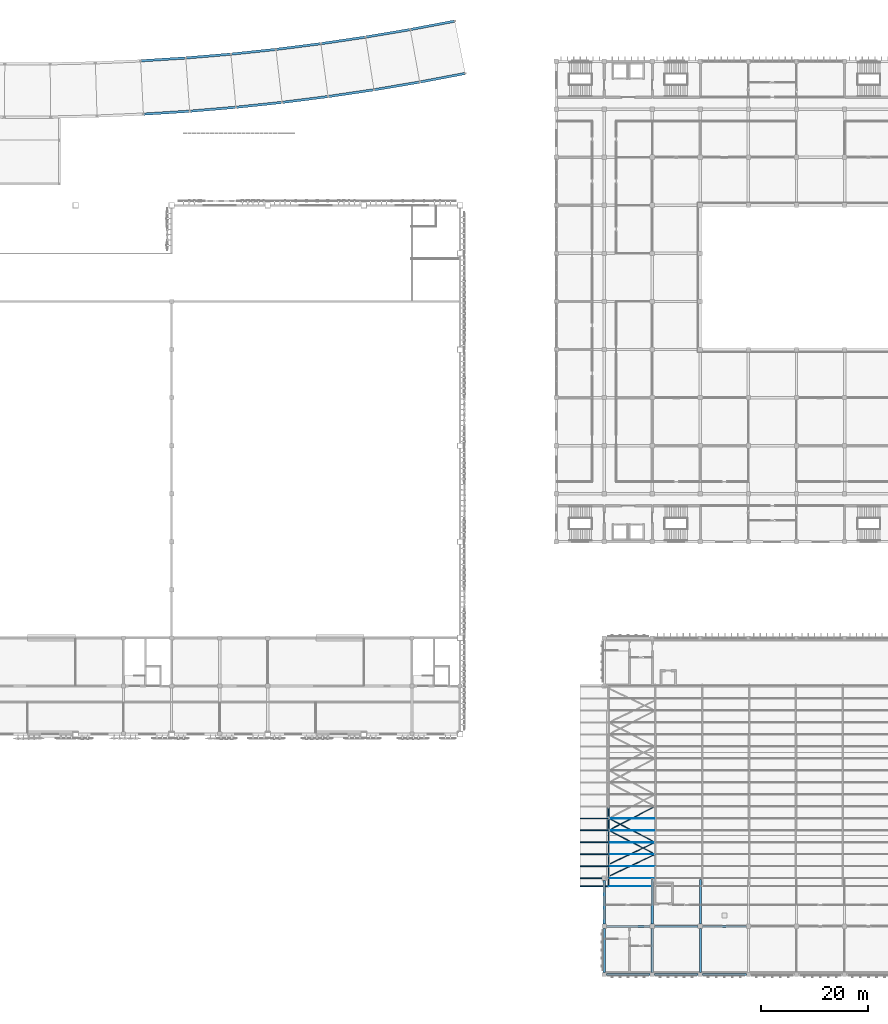
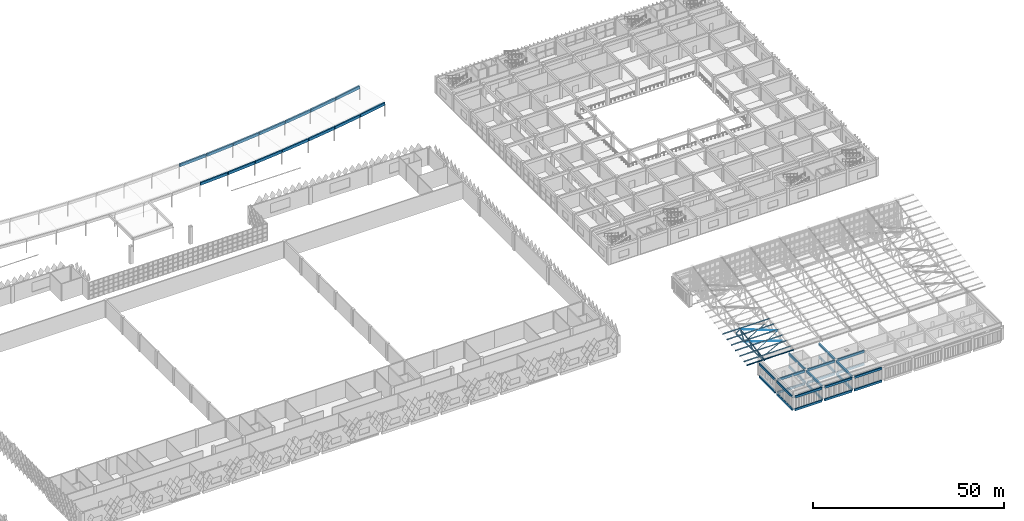
# One storey, part 47 of 185: 38 beams, 32 members.
"""IFC4 building model written with IfcOpenShell, lengths in metres."""

from ifc_helpers import new_model, si_unit, direction, frame, origin, origin_2d, place, context, subcontext, project, spatial, polyline, rectangle, hollow_circle, i_section, outline, extrude, material, material_profile, profile_set, type_object, element, save


model = new_model("IFC4")

# Units and contexts
model_context = context("Model", 3, precision=1e-05, world=origin(), true_north=direction((0.0, 1.0)))
body_context = subcontext(model_context, "Body", "Model", "MODEL_VIEW")
ifc_project = project(units=[si_unit("LENGTHUNIT", "METRE"), si_unit("AREAUNIT", "SQUARE_METRE"), si_unit("VOLUMEUNIT", "CUBIC_METRE"), si_unit("PLANEANGLEUNIT", "RADIAN"), si_unit("MASSUNIT", "GRAM", prefix="KILO")], contexts=[model_context])

# Site, building, storey
site_placement = place(None, origin())
site = spatial("IfcSite", under=ifc_project, at=site_placement, CompositionType="ELEMENT")
building_placement = place(site_placement, origin())
building = spatial("IfcBuilding", under=site, at=building_placement, Name="Opaline Strait Convention Centre", CompositionType="ELEMENT")
storey_placement = place(building_placement, frame((0.0, 0.0, 6.0)))
storey = spatial("IfcBuildingStorey", under=building, at=storey_placement, Name="L01", CompositionType="ELEMENT", Elevation=6.0)

# Beams
ifc_material_1 = material(Name="Concrete C40", Category="concrete")
ifc_material_profile_1 = material_profile(ifc_material_1, rectangle(XDim=0.449951171875, YDim=0.89990234375, at=origin_2d()), Name="RC 450x900")
ifc_profile_set_1 = profile_set([ifc_material_profile_1], Name="Concrete C40")
beam_type_1 = type_object("IfcBeamType", Name="Arcade edge beam 450 x 900 C40", PredefinedType="BEAM", material=ifc_profile_set_1)
for number, where, z_axis, x_axis, name in (
    (1, (201.811279296875, 170.081298828125, 4.14990234375), (0.99798848885, 0.06339539513, 0.0), (-0.06339539513, 0.99798848885, 0.0), "Arcade edge beam SB-I13"),
    (2, (210.4814453125, 170.634033203125, 4.14990234375), (0.996434988163, 0.084364177019, 0.0), (-0.084364177019, 0.996434988163, 0.0), "Arcade edge beam SB-I14"),
):
    element("IfcBeam", number, at=place(storey_placement, frame(where, z_axis=z_axis, x_axis=x_axis)), inside=storey, type_object=beam_type_1, Name=name, ObjectType="SB1", PredefinedType="BEAM", context=body_context, shape_type="SweptSolid", body=[
        extrude(rectangle(XDim=0.449951171875, YDim=0.89990234375, at=origin_2d()), origin(), (0.0, 0.0, 1.0), 8.48779296875),
    ])
beam_1_placement = place(storey_placement, frame((219.137939453125, 171.369140625, 4.14990234375), z_axis=(0.994454264376, 0.105169938981, 0.0), x_axis=(-0.105169938981, 0.994454264376, 0.0)))
element("IfcBeam", 3, at=beam_1_placement, inside=storey, type_object=beam_type_1, Name="Arcade edge beam SB-I15", ObjectType="SB1", PredefinedType="BEAM", context=body_context, shape_type="SweptSolid", body=[
    extrude(rectangle(XDim=0.449951171875, YDim=0.89990234375, at=origin_2d()), origin(), (0.0, 0.0, 1.0), 8.487060546875),
])
beam_2_placement = place(storey_placement, frame((227.7763671875, 172.284912109375, 4.14990234375), z_axis=(0.992058135744, 0.125780186453, 0.0), x_axis=(-0.125780186453, 0.992058135744, 0.0)))
element("IfcBeam", 4, at=beam_2_placement, inside=storey, type_object=beam_type_1, Name="Arcade edge beam SB-I16", ObjectType="SB1", PredefinedType="BEAM", context=body_context, shape_type="SweptSolid", body=[
    extrude(rectangle(XDim=0.449951171875, YDim=0.89990234375, at=origin_2d()), origin(), (0.0, 0.0, 1.0), 8.486083984375),
])
beam_3_placement = place(storey_placement, frame((236.393310546875, 173.37939453125, 4.14990234375), z_axis=(0.989251915692, 0.146221227257, 0.0), x_axis=(-0.146221227257, 0.989251915692, 0.0)))
element("IfcBeam", 5, at=beam_3_placement, inside=storey, type_object=beam_type_1, Name="Arcade edge beam SB-I17", ObjectType="SB1", PredefinedType="BEAM", context=body_context, shape_type="SweptSolid", body=[
    extrude(rectangle(XDim=0.449951171875, YDim=0.89990234375, at=origin_2d()), origin(), (0.0, 0.0, 1.0), 8.4853515625),
])
beam_4_placement = place(storey_placement, frame((244.98486328125, 174.6513671875, 4.14990234375), z_axis=(0.986061396972, 0.166381854183, 0.0), x_axis=(-0.166381854183, 0.986061396972, 0.0)))
element("IfcBeam", 6, at=beam_4_placement, inside=storey, type_object=beam_type_1, Name="Arcade edge beam SB-I18", ObjectType="SB1", PredefinedType="BEAM", context=body_context, shape_type="SweptSolid", body=[
    extrude(rectangle(XDim=0.449951171875, YDim=0.89990234375, at=origin_2d()), origin(), (0.0, 0.0, 1.0), 8.484130859375),
])
beam_5_placement = place(storey_placement, frame((253.547607421875, 176.098388671875, 4.14990234375), z_axis=(0.982500419925, 0.186260368428, 0.0), x_axis=(-0.186260368428, 0.982500419925, 0.0)))
element("IfcBeam", 7, at=beam_5_placement, inside=storey, type_object=beam_type_1, Name="Arcade edge beam SB-I19", ObjectType="SB1", PredefinedType="BEAM", context=body_context, shape_type="SweptSolid", body=[
    extrude(rectangle(XDim=0.449951171875, YDim=0.89990234375, at=origin_2d()), origin(), (0.0, 0.0, 1.0), 8.483154296875),
])
beam_6_placement = place(storey_placement, frame((201.282470703125, 180.067138671875, 4.14990234375), z_axis=(0.997987313184, 0.063413900087, 0.0), x_axis=(-0.063413900087, 0.997987313184, 0.0)))
element("IfcBeam", 8, at=beam_6_placement, inside=storey, type_object=beam_type_1, Name="Arcade edge beam SB-O13", ObjectType="SB1", PredefinedType="BEAM", context=body_context, shape_type="SweptSolid", body=[
    extrude(rectangle(XDim=0.449951171875, YDim=0.89990234375, at=origin_2d()), origin(), (0.0, 0.0, 1.0), 8.27734375),
])
beam_7_placement = place(storey_placement, frame((209.742431640625, 180.606689453125, 4.14990234375), z_axis=(0.996433812642, 0.084378060083, 0.0), x_axis=(-0.084378060083, 0.996433812642, 0.0)))
element("IfcBeam", 9, at=beam_7_placement, inside=storey, type_object=beam_type_1, Name="Arcade edge beam SB-O14", ObjectType="SB1", PredefinedType="BEAM", context=body_context, shape_type="SweptSolid", body=[
    extrude(rectangle(XDim=0.449951171875, YDim=0.89990234375, at=origin_2d()), origin(), (0.0, 0.0, 1.0), 8.278076171875),
])
beam_8_placement = place(storey_placement, frame((218.18994140625, 181.32421875, 4.14990234375), z_axis=(0.994458004392, 0.105134568538, 0.0), x_axis=(-0.105134568538, 0.994458004392, 0.0)))
element("IfcBeam", 10, at=beam_8_placement, inside=storey, type_object=beam_type_1, Name="Arcade edge beam SB-O15", ObjectType="SB1", PredefinedType="BEAM", context=body_context, shape_type="SweptSolid", body=[
    extrude(rectangle(XDim=0.449951171875, YDim=0.89990234375, at=origin_2d()), origin(), (0.0, 0.0, 1.0), 8.278564453125),
])
beam_9_placement = place(storey_placement, frame((226.62109375, 182.2177734375, 4.14990234375), z_axis=(0.992056291557, 0.125794731141, 0.0), x_axis=(-0.125794731141, 0.992056291557, 0.0)))
element("IfcBeam", 11, at=beam_9_placement, inside=storey, type_object=beam_type_1, Name="Arcade edge beam SB-O16", ObjectType="SB1", PredefinedType="BEAM", context=body_context, shape_type="SweptSolid", body=[
    extrude(rectangle(XDim=0.449951171875, YDim=0.89990234375, at=origin_2d()), origin(), (0.0, 0.0, 1.0), 8.279296875),
])
beam_10_placement = place(storey_placement, frame((235.03271484375, 183.28662109375, 4.14990234375), z_axis=(0.989252640613, 0.146216322756, 0.0), x_axis=(-0.146216322756, 0.989252640613, 0.0)))
element("IfcBeam", 12, at=beam_10_placement, inside=storey, type_object=beam_type_1, Name="Arcade edge beam SB-O17", ObjectType="SB1", PredefinedType="BEAM", context=body_context, shape_type="SweptSolid", body=[
    extrude(rectangle(XDim=0.449951171875, YDim=0.89990234375, at=origin_2d()), origin(), (0.0, 0.0, 1.0), 8.2802734375),
])
beam_11_placement = place(storey_placement, frame((243.42138671875, 184.5283203125, 4.14990234375), z_axis=(0.986058831244, 0.166397059246, 0.0), x_axis=(-0.166397059246, 0.986058831244, 0.0)))
element("IfcBeam", 13, at=beam_11_placement, inside=storey, type_object=beam_type_1, Name="Arcade edge beam SB-O18", ObjectType="SB1", PredefinedType="BEAM", context=body_context, shape_type="SweptSolid", body=[
    extrude(rectangle(XDim=0.449951171875, YDim=0.89990234375, at=origin_2d()), origin(), (0.0, 0.0, 1.0), 8.281005859375),
])
beam_12_placement = place(storey_placement, frame((251.78369140625, 185.94140625, 4.14990234375), z_axis=(0.982494059774, 0.186293914307, 0.0), x_axis=(-0.186293914307, 0.982494059774, 0.0)))
element("IfcBeam", 14, at=beam_12_placement, inside=storey, type_object=beam_type_1, Name="Arcade edge beam SB-O19", ObjectType="SB1", PredefinedType="BEAM", context=body_context, shape_type="SweptSolid", body=[
    extrude(rectangle(XDim=0.449951171875, YDim=0.89990234375, at=origin_2d()), origin(), (0.0, 0.0, 1.0), 8.282470703125),
])

# Members
ifc_material_2 = material(Name="Steel Q355B", Category="steel")
ifc_material_profile_2 = material_profile(ifc_material_2, i_section(OverallWidth=0.125, OverallDepth=0.25, WebThickness=0.006103515625, FlangeThickness=0.009033203125, FilletRadius=0.008056640625, at=origin_2d()), Name="HN 250x125x6x9")
ifc_profile_set_2 = profile_set([ifc_material_profile_2], Name="Steel Q355B")
member_type_1 = type_object("IfcMemberType", Name="Eaves purlin HN 250x125x6x9", PredefinedType="RAFTER", material=ifc_profile_set_2)
for number, where, z_axis, x_axis, name in (
    (15, (283.5, 25.5, 5.24609375), (1.0, 0.0, 0.0), (0.0, 1.0, 0.0), "BU2 purlin line 1 bay 1"),
    (16, (283.5, 27.0, 5.510498046875), (1.0, 0.0, 0.0), (0.0, 1.0, 0.0), "BU2 purlin line 2 bay 1"),
    (17, (283.5, 29.24365234375, 5.90625), (1.0, 0.0, 0.0), (0.0, 1.0, 0.0), "BU2 purlin line 3 bay 1"),
    (18, (283.5, 31.487548828125, 6.3017578125), (1.0, 0.0, 0.0), (0.0, 1.0, 0.0), "BU2 purlin line 4 bay 1"),
    (19, (283.5, 33.731201171875, 6.697509765625), (1.0, 0.0, 0.0), (0.0, 1.0, 0.0), "BU2 purlin line 5 bay 1"),
    (20, (283.5, 35.97509765625, 7.093017578125), (1.0, 0.0, 0.0), (0.0, 1.0, 0.0), "BU2 purlin line 6 bay 1"),
    (21, (283.5, 38.21875, 7.48876953125), (1.0, 0.0, 0.0), (0.0, 1.0, 0.0), "BU2 purlin line 7 bay 1"),
):
    element("IfcMember", number, at=place(storey_placement, frame(where, z_axis=z_axis, x_axis=x_axis)), inside=storey, type_object=member_type_1, Name=name, PredefinedType="RAFTER", context=body_context, shape_type="SweptSolid", body=[
        extrude(i_section(OverallWidth=0.125, OverallDepth=0.25, WebThickness=0.006103515625, FlangeThickness=0.009033203125, FilletRadius=0.008056640625, at=origin_2d()), origin(), (0.0, 0.0, 1.0), 5.300048828125),
    ])

# Beams
ifc_material_3 = material(Name="Concrete C35", Category="concrete")
ifc_material_profile_3 = material_profile(ifc_material_3, rectangle(XDim=0.39990234375, YDim=0.699951171875, at=origin_2d()), Name="RC 400x700")
ifc_profile_set_3 = profile_set([ifc_material_profile_3], Name="Concrete C35")
beam_type_2 = type_object("IfcBeamType", Name="RC girder 400x700 C35", PredefinedType="BEAM", material=ifc_profile_set_3)
for number, where, z_axis, x_axis, name in (
    (22, (288.39990234375, 9.0, -0.6298828125), (1.0, 0.0, 0.0), (0.0, 1.0, 0.0), "BB1 girder 33/B-34/B F"),
    (23, (297.39990234375, 9.0, -0.6298828125), (1.0, 0.0, 0.0), (0.0, 1.0, 0.0), "BB1 girder 34/B-35/B F"),
    (24, (306.39990234375, 9.0, -0.6298828125), (1.0, 0.0, 0.0), (0.0, 1.0, 0.0), "BB1 girder 35/B-36/B F"),
    (25, (288.39990234375, 18.0, -0.6298828125), (1.0, 0.0, 0.0), (0.0, 1.0, 0.0), "BB1 girder 33/C-34/C F"),
    (26, (297.39990234375, 18.0, -0.6298828125), (1.0, 0.0, 0.0), (0.0, 1.0, 0.0), "BB1 girder 34/C-35/C F"),
    (27, (306.39990234375, 18.0, -0.6298828125), (1.0, 0.0, 0.0), (0.0, 1.0, 0.0), "BB1 girder 35/C-36/C F"),
    (28, (288.0, 9.39990234375, -0.6298828125), (0.0, 1.0, 0.0), (-1.0, 0.0, 0.0), "BB1 girder 33/B-33/C F"),
    (29, (288.0, 18.39990234375, -0.6298828125), (0.0, 1.0, 0.0), (-1.0, 0.0, 0.0), "BB1 girder 33/C-33/D F"),
    (30, (297.0, 9.39990234375, -0.6298828125), (0.0, 1.0, 0.0), (-1.0, 0.0, 0.0), "BB1 girder 34/B-34/C F"),
):
    element("IfcBeam", number, at=place(storey_placement, frame(where, z_axis=z_axis, x_axis=x_axis)), inside=storey, type_object=beam_type_2, Name=name, PredefinedType="BEAM", context=body_context, shape_type="SweptSolid", body=[
        extrude(rectangle(XDim=0.39990234375, YDim=0.699951171875, at=origin_2d()), origin(), (0.0, 0.0, 1.0), 8.2001953125),
    ])
beam_13_placement = place(storey_placement, frame((297.0, 18.39990234375, -0.6298828125), z_axis=(0.0, 1.0, 0.0), x_axis=(-1.0, 0.0, 0.0)))
element("IfcBeam", 31, at=beam_13_placement, inside=storey, type_object=beam_type_2, Name="BB1 girder 34/C-34/D F", PredefinedType="BEAM", context=body_context, shape_type="SweptSolid", body=[
    extrude(rectangle(XDim=0.39990234375, YDim=0.699951171875, at=origin_2d()), origin(), (0.0, 0.0, 1.0), 8.400146484375),
])
beam_14_placement = place(storey_placement, frame((306.0, 9.39990234375, -0.6298828125), z_axis=(0.0, 1.0, 0.0), x_axis=(-1.0, 0.0, 0.0)))
element("IfcBeam", 32, at=beam_14_placement, inside=storey, type_object=beam_type_2, Name="BB1 girder 35/B-35/C F", PredefinedType="BEAM", context=body_context, shape_type="SweptSolid", body=[
    extrude(rectangle(XDim=0.39990234375, YDim=0.699951171875, at=origin_2d()), origin(), (0.0, 0.0, 1.0), 8.2001953125),
])
beam_15_placement = place(storey_placement, frame((306.0, 18.39990234375, -0.6298828125), z_axis=(0.0, 1.0, 0.0), x_axis=(-1.0, 0.0, 0.0)))
element("IfcBeam", 33, at=beam_15_placement, inside=storey, type_object=beam_type_2, Name="BB1 girder 35/C-35/D F", PredefinedType="BEAM", context=body_context, shape_type="SweptSolid", body=[
    extrude(rectangle(XDim=0.39990234375, YDim=0.699951171875, at=origin_2d()), origin(), (0.0, 0.0, 1.0), 8.400146484375),
])
for number, where, z_axis, x_axis, name in (
    (34, (288.39990234375, 9.0, 3.39990234375), (1.0, 0.0, 0.0), (0.0, 1.0, 0.0), "BB1 girder 33/B-34/B R"),
    (35, (297.39990234375, 9.0, 3.39990234375), (1.0, 0.0, 0.0), (0.0, 1.0, 0.0), "BB1 girder 34/B-35/B R"),
    (36, (306.39990234375, 9.0, 3.39990234375), (1.0, 0.0, 0.0), (0.0, 1.0, 0.0), "BB1 girder 35/B-36/B R"),
    (37, (288.39990234375, 18.0, 3.39990234375), (1.0, 0.0, 0.0), (0.0, 1.0, 0.0), "BB1 girder 33/C-34/C R"),
    (38, (297.39990234375, 18.0, 3.39990234375), (1.0, 0.0, 0.0), (0.0, 1.0, 0.0), "BB1 girder 34/C-35/C R"),
    (39, (306.39990234375, 18.0, 3.39990234375), (1.0, 0.0, 0.0), (0.0, 1.0, 0.0), "BB1 girder 35/C-36/C R"),
    (40, (288.0, 9.39990234375, 3.39990234375), (0.0, 1.0, 0.0), (-1.0, 0.0, 0.0), "BB1 girder 33/B-33/C R"),
    (41, (288.0, 18.39990234375, 3.39990234375), (0.0, 1.0, 0.0), (-1.0, 0.0, 0.0), "BB1 girder 33/C-33/D R"),
    (42, (297.0, 9.39990234375, 3.39990234375), (0.0, 1.0, 0.0), (-1.0, 0.0, 0.0), "BB1 girder 34/B-34/C R"),
):
    element("IfcBeam", number, at=place(storey_placement, frame(where, z_axis=z_axis, x_axis=x_axis)), inside=storey, type_object=beam_type_2, Name=name, PredefinedType="BEAM", context=body_context, shape_type="SweptSolid", body=[
        extrude(rectangle(XDim=0.39990234375, YDim=0.699951171875, at=origin_2d()), origin(), (0.0, 0.0, 1.0), 8.2001953125),
    ])
beam_16_placement = place(storey_placement, frame((297.0, 18.39990234375, 3.39990234375), z_axis=(0.0, 1.0, 0.0), x_axis=(-1.0, 0.0, 0.0)))
element("IfcBeam", 43, at=beam_16_placement, inside=storey, type_object=beam_type_2, Name="BB1 girder 34/C-34/D R", PredefinedType="BEAM", context=body_context, shape_type="SweptSolid", body=[
    extrude(rectangle(XDim=0.39990234375, YDim=0.699951171875, at=origin_2d()), origin(), (0.0, 0.0, 1.0), 8.400146484375),
])
beam_17_placement = place(storey_placement, frame((306.0, 9.39990234375, 3.39990234375), z_axis=(0.0, 1.0, 0.0), x_axis=(-1.0, 0.0, 0.0)))
element("IfcBeam", 44, at=beam_17_placement, inside=storey, type_object=beam_type_2, Name="BB1 girder 35/B-35/C R", PredefinedType="BEAM", context=body_context, shape_type="SweptSolid", body=[
    extrude(rectangle(XDim=0.39990234375, YDim=0.699951171875, at=origin_2d()), origin(), (0.0, 0.0, 1.0), 8.2001953125),
])
beam_18_placement = place(storey_placement, frame((306.0, 18.39990234375, 3.39990234375), z_axis=(0.0, 1.0, 0.0), x_axis=(-1.0, 0.0, 0.0)))
element("IfcBeam", 45, at=beam_18_placement, inside=storey, type_object=beam_type_2, Name="BB1 girder 35/C-35/D R", PredefinedType="BEAM", context=body_context, shape_type="SweptSolid", body=[
    extrude(rectangle(XDim=0.39990234375, YDim=0.699951171875, at=origin_2d()), origin(), (0.0, 0.0, 1.0), 8.400146484375),
])

# Members
ifc_material_profile_4 = material_profile(ifc_material_2, hollow_circle(Radius=0.056884765625, WallThickness=0.006103515625, at=origin_2d()), Name="CHS 114x6")
ifc_profile_set_4 = profile_set([ifc_material_profile_4], Name="Steel Q355B")
member_type_2 = type_object("IfcMemberType", Name="Roof plan brace CHS 114x6", PredefinedType="BRACE", material=ifc_profile_set_4)
member_1_placement = place(storey_placement, frame((288.827880859375, 29.59375, 5.6572265625), z_axis=(0.900807457319, 0.427618598857, 0.075420545936), x_axis=(-0.428840014749, 0.903380452384, 0.0)))
element("IfcMember", 46, at=member_1_placement, inside=storey, type_object=member_type_2, Name="BR1 top plane brace end bay 1 panel 1", PredefinedType="BRACE", context=body_context, shape_type="SweptSolid", body=[
    extrude(hollow_circle(Radius=0.056884765625, WallThickness=0.006103515625, at=origin_2d()), origin(), (0.0, 0.0, 1.0), 9.675537109375),
])
member_2_placement = place(storey_placement, frame((297.5419921875, 33.731201171875, 6.386962890625), z_axis=(-0.886065031129, 0.456518705493, 0.080494919999), x_axis=(-0.458004922776, -0.888949655893, 0.0)))
element("IfcMember", 47, at=member_2_placement, inside=storey, type_object=member_type_2, Name="BR1 top plane brace end bay 1 panel 2", PredefinedType="BRACE", context=body_context, shape_type="SweptSolid", body=[
    extrude(hollow_circle(Radius=0.056884765625, WallThickness=0.006103515625, at=origin_2d()), origin(), (0.0, 0.0, 1.0), 9.829833984375),
])
member_3_placement = place(storey_placement, frame((288.827880859375, 27.35009765625, 4.5), z_axis=(0.903380452384, 0.428840014749, 0.0), x_axis=(-0.428840014749, 0.903380452384, 0.0)))
element("IfcMember", 48, at=member_3_placement, inside=storey, type_object=member_type_2, Name="BR1 bottom plane brace end bay 1 panel 1", PredefinedType="BRACE", context=body_context, shape_type="SweptSolid", body=[
    extrude(hollow_circle(Radius=0.056884765625, WallThickness=0.006103515625, at=origin_2d()), origin(), (0.0, 0.0, 1.0), 9.64794921875),
])
member_4_placement = place(storey_placement, frame((297.5419921875, 31.487548828125, 4.5), z_axis=(-0.889007130404, 0.457893352312, 0.0), x_axis=(-0.457893352312, -0.889007130404, 0.0)))
element("IfcMember", 49, at=member_4_placement, inside=storey, type_object=member_type_2, Name="BR1 bottom plane brace end bay 1 panel 2", PredefinedType="BRACE", context=body_context, shape_type="SweptSolid", body=[
    extrude(hollow_circle(Radius=0.056884765625, WallThickness=0.006103515625, at=origin_2d()), origin(), (0.0, 0.0, 1.0), 9.800537109375),
])
member_5_placement = place(storey_placement, frame((288.829345703125, 35.97509765625, 4.5), z_axis=(0.888965027006, 0.457975087489, 0.0), x_axis=(-0.457975087489, 0.888965027006, 0.0)))
element("IfcMember", 50, at=member_5_placement, inside=storey, type_object=member_type_2, Name="BR1 bottom plane brace end bay 1 panel 3", PredefinedType="BRACE", context=body_context, shape_type="SweptSolid", body=[
    extrude(hollow_circle(Radius=0.056884765625, WallThickness=0.006103515625, at=origin_2d()), origin(), (0.0, 0.0, 1.0), 9.798095703125),
])
ifc_material_profile_5 = material_profile(ifc_material_2, outline(polyline([(-0.03759765625, -0.125), (0.03759765625, -0.125), (0.03759765625, -0.10498046875), (0.034423828125, -0.10498046875), (0.034423828125, -0.1220703125), (-0.034423828125, -0.1220703125), (-0.034423828125, 0.1220703125), (0.034423828125, 0.1220703125), (0.034423828125, 0.10498046875), (0.03759765625, 0.10498046875), (0.03759765625, 0.125), (-0.03759765625, 0.125), (-0.03759765625, -0.125)])), Name="C 250x75x20x3")
ifc_profile_set_5 = profile_set([ifc_material_profile_5], Name="Steel Q355B")
member_type_3 = type_object("IfcMemberType", Name="Roof purlin C 250x75x20x3", PredefinedType="RAFTER", material=ifc_profile_set_5)
for number, where, z_axis, x_axis, name in (
    (51, (288.800048828125, 25.5, 5.24609375), (1.0, 0.0, 0.0), (0.0, 1.0, 0.0), "BU1 purlin line 1 bay 2"),
    (52, (288.800048828125, 27.0, 5.510498046875), (1.0, 0.0, 0.0), (0.0, 1.0, 0.0), "BU1 purlin line 2 bay 2"),
    (53, (288.800048828125, 29.24365234375, 5.90625), (1.0, 0.0, 0.0), (0.0, 1.0, 0.0), "BU1 purlin line 3 bay 2"),
    (54, (288.800048828125, 31.487548828125, 6.3017578125), (1.0, 0.0, 0.0), (0.0, 1.0, 0.0), "BU1 purlin line 4 bay 2"),
    (55, (288.800048828125, 33.731201171875, 6.697509765625), (1.0, 0.0, 0.0), (0.0, 1.0, 0.0), "BU1 purlin line 5 bay 2"),
    (56, (288.800048828125, 35.97509765625, 7.093017578125), (1.0, 0.0, 0.0), (0.0, 1.0, 0.0), "BU1 purlin line 6 bay 2"),
    (57, (288.800048828125, 38.21875, 7.48876953125), (1.0, 0.0, 0.0), (0.0, 1.0, 0.0), "BU1 purlin line 7 bay 2"),
):
    element("IfcMember", number, at=place(storey_placement, frame(where, z_axis=z_axis, x_axis=x_axis)), inside=storey, type_object=member_type_3, Name=name, PredefinedType="RAFTER", context=body_context, shape_type="SweptSolid", body=[
        extrude(outline(polyline([(-0.03759765625, -0.125), (0.03759765625, -0.125), (0.03759765625, -0.10498046875), (0.034423828125, -0.10498046875), (0.034423828125, -0.1220703125), (-0.034423828125, -0.1220703125), (-0.034423828125, 0.1220703125), (0.034423828125, 0.1220703125), (0.034423828125, 0.10498046875), (0.03759765625, 0.10498046875), (0.03759765625, 0.125), (-0.03759765625, 0.125), (-0.03759765625, -0.125)])), origin(), (0.0, 0.0, 1.0), 8.771240234375),
    ])
ifc_material_profile_6 = material_profile(ifc_material_2, i_section(OverallWidth=0.175048828125, OverallDepth=0.35009765625, WebThickness=0.007080078125, FlangeThickness=0.010986328125, FilletRadius=0.012939453125, at=origin_2d()), Name="HN 350x175x7x11")
ifc_profile_set_6 = profile_set([ifc_material_profile_6], Name="Steel Q355B")
member_type_4 = type_object("IfcMemberType", Name="Truss bottom chord HN 350x175x7x11", PredefinedType="CHORD", material=ifc_profile_set_6)
for number, where, z_axis, x_axis, name in (
    (58, (288.800048828125, 27.0, 4.5), (0.0, 1.0, 0.0), (-1.0, 0.0, 0.0), "BT2 bottom chord line 1 panel 1"),
    (59, (288.800048828125, 31.487548828125, 4.5), (0.0, 1.0, 0.0), (-1.0, 0.0, 0.0), "BT2 bottom chord line 1 panel 2"),
):
    element("IfcMember", number, at=place(storey_placement, frame(where, z_axis=z_axis, x_axis=x_axis)), inside=storey, type_object=member_type_4, Name=name, PredefinedType="CHORD", context=body_context, shape_type="SweptSolid", body=[
        extrude(i_section(OverallWidth=0.175048828125, OverallDepth=0.35009765625, WebThickness=0.007080078125, FlangeThickness=0.010986328125, FilletRadius=0.012939453125, at=origin_2d()), origin(), (0.0, 0.0, 1.0), 4.487548828125),
    ])
ifc_material_profile_7 = material_profile(ifc_material_2, i_section(OverallWidth=0.35009765625, OverallDepth=0.35009765625, WebThickness=0.011962890625, FlangeThickness=0.01904296875, FilletRadius=0.012939453125, at=origin_2d()), Name="HW 350x350x12x19")
ifc_profile_set_7 = profile_set([ifc_material_profile_7], Name="Steel Q355B")
member_type_5 = type_object("IfcMemberType", Name="Truss bottom chord HW 350x350x12x19", PredefinedType="CHORD", material=ifc_profile_set_7)
member_6_placement = place(storey_placement, frame((288.800048828125, 35.97509765625, 4.5), z_axis=(0.0, 1.0, 0.0), x_axis=(-1.0, 0.0, 0.0)))
element("IfcMember", 60, at=member_6_placement, inside=storey, type_object=member_type_5, Name="BT4 bottom chord line 1 panel 3", PredefinedType="CHORD", context=body_context, shape_type="SweptSolid", body=[
    extrude(i_section(OverallWidth=0.35009765625, OverallDepth=0.35009765625, WebThickness=0.011962890625, FlangeThickness=0.01904296875, FilletRadius=0.012939453125, at=origin_2d()), origin(), (0.0, 0.0, 1.0), 4.4873046875),
])
ifc_material_profile_8 = material_profile(ifc_material_2, i_section(OverallWidth=0.175048828125, OverallDepth=0.35009765625, WebThickness=0.007080078125, FlangeThickness=0.010986328125, FilletRadius=0.012939453125, at=origin_2d()), Name="HN 350x175x7x11")
ifc_profile_set_8 = profile_set([ifc_material_profile_8], Name="Steel Q355B")
member_type_6 = type_object("IfcMemberType", Name="Truss top chord HN 350x175x7x11", PredefinedType="CHORD", material=ifc_profile_set_8)
member_7_placement = place(storey_placement, frame((288.800048828125, 25.5, 4.935546875), z_axis=(0.0, 0.984817426759, 0.173593306182), x_axis=(-1.0, 0.0, 0.0)))
element("IfcMember", 61, at=member_7_placement, inside=storey, type_object=member_type_6, Name="BT1 top chord line 1 panel 1", PredefinedType="CHORD", context=body_context, shape_type="SweptSolid", body=[
    extrude(i_section(OverallWidth=0.175048828125, OverallDepth=0.35009765625, WebThickness=0.007080078125, FlangeThickness=0.010986328125, FilletRadius=0.012939453125, at=origin_2d()), origin(), (0.0, 0.0, 1.0), 1.523193359375),
])
member_8_placement = place(storey_placement, frame((288.800048828125, 27.0, 5.199951171875), z_axis=(0.0, 0.984797579866, 0.173705862564), x_axis=(-1.0, 0.0, 0.0)))
element("IfcMember", 62, at=member_8_placement, inside=storey, type_object=member_type_6, Name="BT1 top chord line 1 panel 2", PredefinedType="CHORD", context=body_context, shape_type="SweptSolid", body=[
    extrude(i_section(OverallWidth=0.175048828125, OverallDepth=0.35009765625, WebThickness=0.007080078125, FlangeThickness=0.010986328125, FilletRadius=0.012939453125, at=origin_2d()), origin(), (0.0, 0.0, 1.0), 2.2783203125),
])
for number, where, z_axis, x_axis, name in (
    (63, (288.800048828125, 29.24365234375, 5.595703125), (0.0, 0.984808359847, 0.173644736101), (-1.0, 0.0, 0.0), "BT1 top chord line 1 panel 3"),
    (64, (288.800048828125, 33.731201171875, 6.386962890625), (0.0, 0.984808359847, 0.173644736101), (-1.0, 0.0, 0.0), "BT1 top chord line 1 panel 4"),
):
    element("IfcMember", number, at=place(storey_placement, frame(where, z_axis=z_axis, x_axis=x_axis)), inside=storey, type_object=member_type_6, Name=name, PredefinedType="CHORD", context=body_context, shape_type="SweptSolid", body=[
        extrude(i_section(OverallWidth=0.175048828125, OverallDepth=0.35009765625, WebThickness=0.007080078125, FlangeThickness=0.010986328125, FilletRadius=0.012939453125, at=origin_2d()), origin(), (0.0, 0.0, 1.0), 4.556884765625),
    ])
ifc_material_profile_9 = material_profile(ifc_material_2, hollow_circle(Radius=0.083984375, WallThickness=0.008056640625, at=origin_2d()), Name="CHS 168x8")
ifc_profile_set_9 = profile_set([ifc_material_profile_9], Name="Steel Q355B")
member_type_7 = type_object("IfcMemberType", Name="Truss web CHS 168x8", PredefinedType="BRACE", material=ifc_profile_set_9)
member_9_placement = place(storey_placement, frame((288.800048828125, 27.26611328125, 4.683349609375), z_axis=(0.0, 0.929133288935, 0.369744954519), x_axis=(-1.0, 0.0, 0.0)))
element("IfcMember", 65, at=member_9_placement, inside=storey, type_object=member_type_7, Name="BW2 web line 1 member 1", PredefinedType="BRACE", context=body_context, shape_type="SweptSolid", body=[
    extrude(hollow_circle(Radius=0.083984375, WallThickness=0.008056640625, at=origin_2d()), origin(), (0.0, 0.0, 1.0), 1.84228515625),
])
member_10_placement = place(storey_placement, frame((288.800048828125, 31.239501953125, 4.683837890625), z_axis=(0.0, -0.915689956093, 0.401885436799), x_axis=(1.0, 0.0, 0.0)))
element("IfcMember", 66, at=member_10_placement, inside=storey, type_object=member_type_7, Name="BW2 web line 1 member 2", PredefinedType="BRACE", context=body_context, shape_type="SweptSolid", body=[
    extrude(hollow_circle(Radius=0.083984375, WallThickness=0.008056640625, at=origin_2d()), origin(), (0.0, 0.0, 1.0), 1.90869140625),
])
member_11_placement = place(storey_placement, frame((288.800048828125, 31.6533203125, 4.678955078125), z_axis=(0.0, 0.787377696888, 0.616470893427), x_axis=(-1.0, 0.0, 0.0)))
element("IfcMember", 67, at=member_11_placement, inside=storey, type_object=member_type_7, Name="BW2 web line 1 member 3", PredefinedType="BRACE", context=body_context, shape_type="SweptSolid", body=[
    extrude(hollow_circle(Radius=0.083984375, WallThickness=0.008056640625, at=origin_2d()), origin(), (0.0, 0.0, 1.0), 2.428466796875),
])
member_12_placement = place(storey_placement, frame((288.800048828125, 35.81201171875, 4.678955078125), z_axis=(0.0, -0.776751826375, 0.629806795949), x_axis=(1.0, 0.0, 0.0)))
element("IfcMember", 68, at=member_12_placement, inside=storey, type_object=member_type_7, Name="BW2 web line 1 member 4", PredefinedType="BRACE", context=body_context, shape_type="SweptSolid", body=[
    extrude(hollow_circle(Radius=0.083984375, WallThickness=0.008056640625, at=origin_2d()), origin(), (0.0, 0.0, 1.0), 2.468994140625),
])
ifc_material_profile_10 = material_profile(ifc_material_2, hollow_circle(Radius=0.109619140625, WallThickness=0.010009765625, at=origin_2d()), Name="CHS 219x10")
ifc_profile_set_10 = profile_set([ifc_material_profile_10], Name="Steel Q355B")
member_type_8 = type_object("IfcMemberType", Name="Truss web CHS 219x10", PredefinedType="BRACE", material=ifc_profile_set_10)
member_13_placement = place(storey_placement, frame((288.800048828125, 36.147216796875, 4.678955078125), z_axis=(0.0, 0.638891118457, 0.769297171941), x_axis=(-1.0, 0.0, 0.0)))
element("IfcMember", 69, at=member_13_placement, inside=storey, type_object=member_type_8, Name="BW3 web line 1 member 5", PredefinedType="BRACE", context=body_context, shape_type="SweptSolid", body=[
    extrude(hollow_circle(Radius=0.109619140625, WallThickness=0.010009765625, at=origin_2d()), origin(), (0.0, 0.0, 1.0), 2.972900390625),
])
member_14_placement = place(storey_placement, frame((288.800048828125, 40.291748046875, 4.678955078125), z_axis=(0.0, -0.629570044101, 0.77694372999), x_axis=(1.0, 0.0, 0.0)))
element("IfcMember", 70, at=member_14_placement, inside=storey, type_object=member_type_8, Name="BW3 web line 1 member 6", PredefinedType="BRACE", context=body_context, shape_type="SweptSolid", body=[
    extrude(hollow_circle(Radius=0.109619140625, WallThickness=0.010009765625, at=origin_2d()), origin(), (0.0, 0.0, 1.0), 3.021728515625),
])

save(model, "model.ifc")
